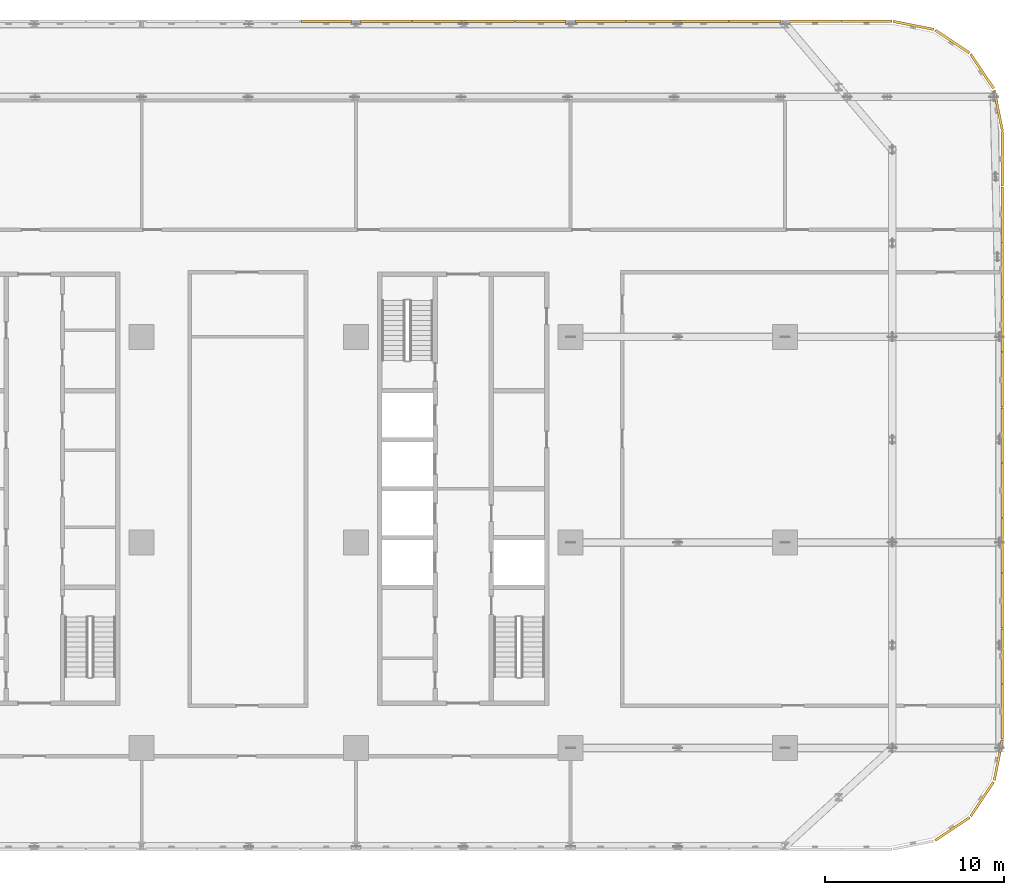
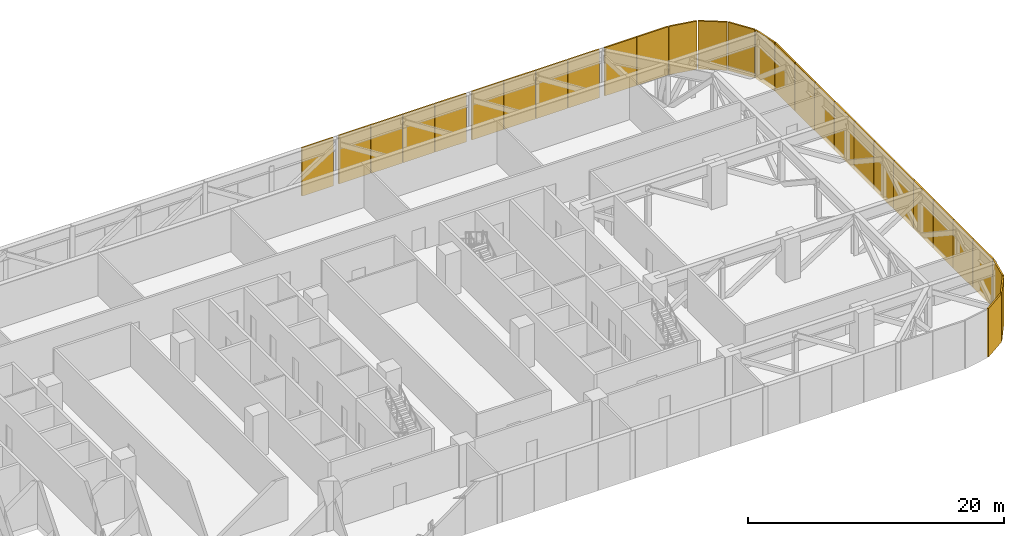
# One storey, part 26 of 26: 29 coverings.
"""IFC4 building model written with IfcOpenShell, lengths in metres."""

from ifc_helpers import new_model, si_unit, direction, frame, origin, origin_2d, place, context, subcontext, project, spatial, rectangle, extrude, material, type_object, element, save


model = new_model("IFC4")

# Units and contexts
model_context = context("Model", 3, precision=1e-05, world=origin(), true_north=direction((0.0, 1.0)))
body_context = subcontext(model_context, "Body", "Model", "MODEL_VIEW")
ifc_project = project(units=[si_unit("LENGTHUNIT", "METRE"), si_unit("AREAUNIT", "SQUARE_METRE"), si_unit("VOLUMEUNIT", "CUBIC_METRE"), si_unit("PLANEANGLEUNIT", "RADIAN"), si_unit("MASSUNIT", "GRAM", prefix="KILO")], contexts=[model_context])

# Site, building, storey
site_placement = place(None, origin())
site = spatial("IfcSite", under=ifc_project, at=site_placement, CompositionType="ELEMENT")
building_placement = place(site_placement, origin())
building = spatial("IfcBuilding", under=site, at=building_placement, Name="Mahtab Terrace Research Tower", CompositionType="ELEMENT")
storey_placement = place(building_placement, frame((0.0, 0.0, 117.60009765625)))
storey = spatial("IfcBuildingStorey", under=building, at=storey_placement, Name="L27", CompositionType="ELEMENT", Elevation=117.60009765625)

# Coverings
ifc_material = material(Name="Natural anodised aluminium", Category="aluminium")
covering_type = type_object("IfcCoveringType", Name="Plant storey louvre bay", PredefinedType="CLADDING", material=ifc_material)
for number, where, z_axis, x_axis, name in (
    (1, (51.3583984375, -16.026123046875, -0.55029296875), (0.0, 0.0, 1.0), (0.831655794326, 0.555291490808, 0.0), "Louvre bay L27 4"),
    (2, (53.026123046875, -14.3583984375, -0.55029296875), (0.0, 0.0, 1.0), (0.555291490808, 0.831655794326, 0.0), "Louvre bay L27 5"),
    (3, (53.928466796875, -12.17919921875, -0.55029296875), (0.0, 0.0, 1.0), (0.195212442692, 0.980760981187, 0.0), "Louvre bay L27 6"),
):
    element("IfcCovering", number, at=place(storey_placement, frame(where, z_axis=z_axis, x_axis=x_axis)), inside=storey, type_object=covering_type, Name=name, PredefinedType="CLADDING", context=body_context, shape_type="SweptSolid", body=[
        extrude(rectangle(XDim=2.301025390625, YDim=0.139892578125, at=origin_2d()), origin(), (0.0, 0.0, 1.0), 4.610107421875),
    ])
for number, where, z_axis, x_axis, name in (
    (4, (54.159912109375, -9.45458984375, -0.55029296875), (0.0, 0.0, 1.0), (0.0, 1.0, 0.0), "Louvre bay L27 7"),
    (5, (54.159912109375, -6.363525390625, -0.55029296875), (0.0, 0.0, 1.0), (0.0, 1.0, 0.0), "Louvre bay L27 8"),
    (6, (54.159912109375, -3.272705078125, -0.55029296875), (0.0, 0.0, 1.0), (0.0, 1.0, 0.0), "Louvre bay L27 9"),
    (7, (54.159912109375, -0.181884765625, -0.55029296875), (0.0, 0.0, 1.0), (0.0, 1.0, 0.0), "Louvre bay L27 10"),
    (8, (54.159912109375, 2.9091796875, -0.55029296875), (0.0, 0.0, 1.0), (0.0, 1.0, 0.0), "Louvre bay L27 11"),
    (9, (54.159912109375, 6.0, -0.55029296875), (0.0, 0.0, 1.0), (0.0, 1.0, 0.0), "Louvre bay L27 12"),
    (10, (54.159912109375, 9.0908203125, -0.55029296875), (0.0, 0.0, 1.0), (0.0, 1.0, 0.0), "Louvre bay L27 13"),
    (11, (54.159912109375, 12.181884765625, -0.55029296875), (0.0, 0.0, 1.0), (0.0, 1.0, 0.0), "Louvre bay L27 14"),
    (12, (54.159912109375, 15.272705078125, -0.55029296875), (0.0, 0.0, 1.0), (0.0, 1.0, 0.0), "Louvre bay L27 15"),
    (13, (54.159912109375, 18.363525390625, -0.55029296875), (0.0, 0.0, 1.0), (0.0, 1.0, 0.0), "Louvre bay L27 16"),
    (14, (54.159912109375, 21.45458984375, -0.55029296875), (0.0, 0.0, 1.0), (0.0, 1.0, 0.0), "Louvre bay L27 17"),
):
    element("IfcCovering", number, at=place(storey_placement, frame(where, z_axis=z_axis, x_axis=x_axis)), inside=storey, type_object=covering_type, Name=name, PredefinedType="CLADDING", context=body_context, shape_type="SweptSolid", body=[
        extrude(rectangle(XDim=3.051025390625, YDim=0.139892578125, at=origin_2d()), origin(), (0.0, 0.0, 1.0), 4.610107421875),
    ])
for number, where, z_axis, x_axis, name in (
    (15, (53.928466796875, 24.17919921875, -0.55029296875), (0.0, 0.0, 1.0), (-0.195212442692, 0.980760981187, 0.0), "Louvre bay L27 18"),
    (16, (53.026123046875, 26.3583984375, -0.55029296875), (0.0, 0.0, 1.0), (-0.555291490808, 0.831655794326, 0.0), "Louvre bay L27 19"),
    (17, (51.3583984375, 28.026123046875, -0.55029296875), (0.0, 0.0, 1.0), (-0.831655794326, 0.555291490808, 0.0), "Louvre bay L27 20"),
    (18, (49.17919921875, 28.928466796875, -0.55029296875), (0.0, 0.0, 1.0), (-0.980760981187, 0.195212442692, 0.0), "Louvre bay L27 21"),
):
    element("IfcCovering", number, at=place(storey_placement, frame(where, z_axis=z_axis, x_axis=x_axis)), inside=storey, type_object=covering_type, Name=name, PredefinedType="CLADDING", context=body_context, shape_type="SweptSolid", body=[
        extrude(rectangle(XDim=2.301025390625, YDim=0.139892578125, at=origin_2d()), origin(), (0.0, 0.0, 1.0), 4.610107421875),
    ])
for number, where, z_axis, x_axis, name in (
    (19, (46.556884765625, 29.159912109375, -0.55029296875), (0.0, 0.0, 1.0), (-1.0, 0.0, 0.0), "Louvre bay L27 22"),
    (20, (43.6708984375, 29.159912109375, -0.55029296875), (0.0, 0.0, 1.0), (-1.0, 0.0, 0.0), "Louvre bay L27 23"),
    (21, (40.3291015625, 29.159912109375, -0.55029296875), (0.0, 0.0, 1.0), (-1.0, 0.0, 0.0), "Louvre bay L27 24"),
    (22, (37.443115234375, 29.159912109375, -0.55029296875), (0.0, 0.0, 1.0), (-1.0, 0.0, 0.0), "Louvre bay L27 25"),
    (23, (34.556884765625, 29.159912109375, -0.55029296875), (0.0, 0.0, 1.0), (-1.0, 0.0, 0.0), "Louvre bay L27 26"),
    (24, (31.6708984375, 29.159912109375, -0.55029296875), (0.0, 0.0, 1.0), (-1.0, 0.0, 0.0), "Louvre bay L27 27"),
    (25, (28.3291015625, 29.159912109375, -0.55029296875), (0.0, 0.0, 1.0), (-1.0, 0.0, 0.0), "Louvre bay L27 28"),
    (26, (25.443115234375, 29.159912109375, -0.55029296875), (0.0, 0.0, 1.0), (-1.0, 0.0, 0.0), "Louvre bay L27 29"),
    (27, (22.556884765625, 29.159912109375, -0.55029296875), (0.0, 0.0, 1.0), (-1.0, 0.0, 0.0), "Louvre bay L27 30"),
    (28, (19.6708984375, 29.159912109375, -0.55029296875), (0.0, 0.0, 1.0), (-1.0, 0.0, 0.0), "Louvre bay L27 31"),
    (29, (16.3291015625, 29.159912109375, -0.55029296875), (0.0, 0.0, 1.0), (-1.0, 0.0, 0.0), "Louvre bay L27 32"),
):
    element("IfcCovering", number, at=place(storey_placement, frame(where, z_axis=z_axis, x_axis=x_axis)), inside=storey, type_object=covering_type, Name=name, PredefinedType="CLADDING", context=body_context, shape_type="SweptSolid", body=[
        extrude(rectangle(XDim=2.845947265625, YDim=0.139892578125, at=origin_2d()), origin(), (0.0, 0.0, 1.0), 4.610107421875),
    ])

save(model, "model.ifc")
